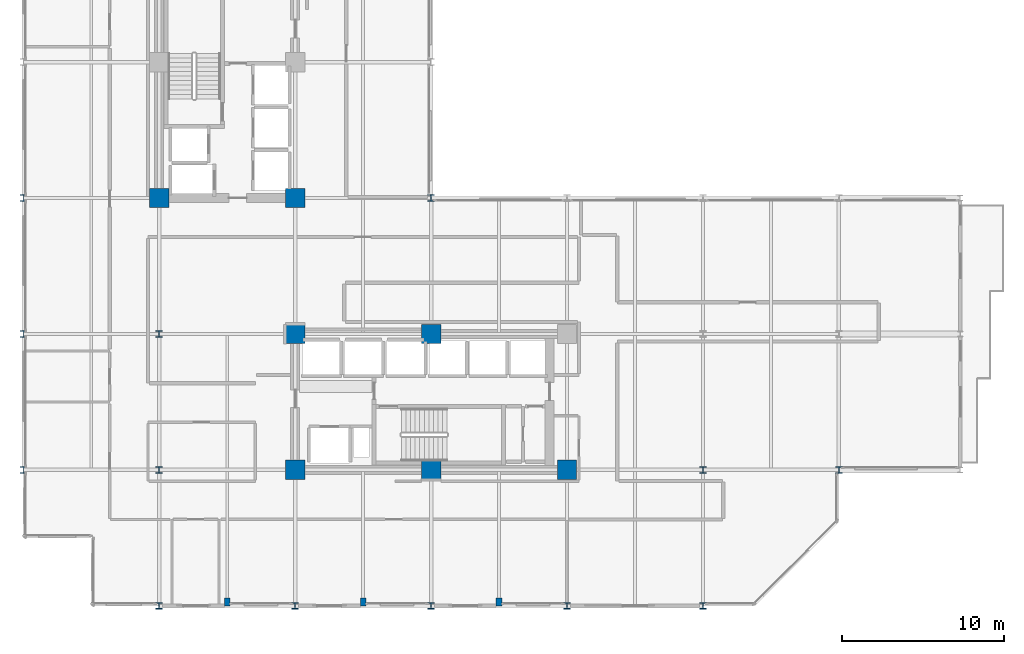
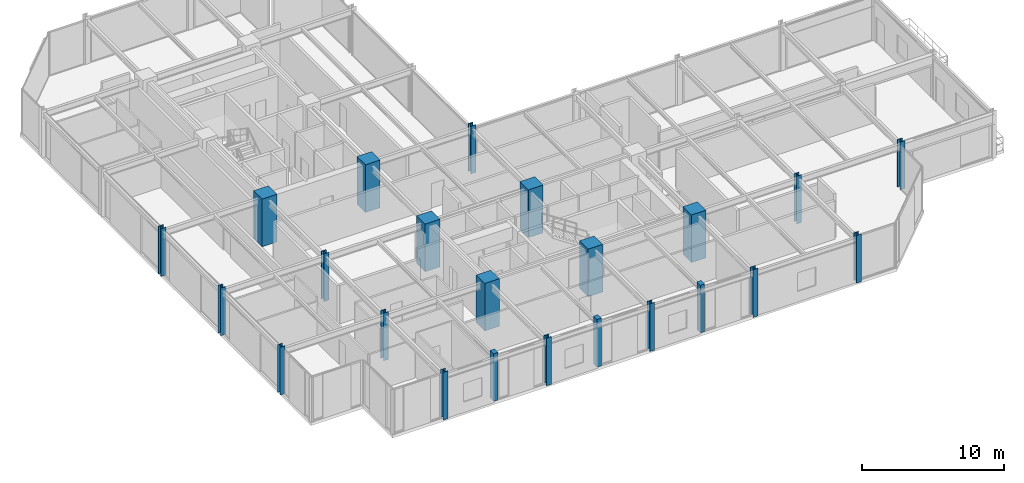
# One storey, part 1 of 38: 23 columns.
"""IFC4 building model written with IfcOpenShell, lengths in metres."""

from ifc_helpers import new_model, si_unit, direction, frame, origin, origin_2d, place, context, subcontext, project, spatial, rectangle, i_section, extrude, material, material_profile, profile_set, type_object, element, save


model = new_model("IFC4")

# Units and contexts
model_context = context("Model", 3, precision=1e-05, world=origin(), true_north=direction((0.0, 1.0)))
body_context = subcontext(model_context, "Body", "Model", "MODEL_VIEW")
ifc_project = project(units=[si_unit("LENGTHUNIT", "METRE"), si_unit("AREAUNIT", "SQUARE_METRE"), si_unit("VOLUMEUNIT", "CUBIC_METRE"), si_unit("PLANEANGLEUNIT", "RADIAN"), si_unit("MASSUNIT", "GRAM", prefix="KILO")], contexts=[model_context])

# Site, building, storey
site_placement = place(None, origin())
site = spatial("IfcSite", under=ifc_project, at=site_placement, CompositionType="ELEMENT")
building_placement = place(site_placement, origin())
building = spatial("IfcBuilding", under=site, at=building_placement, Name="Nerrivon Quay Data Exchange", CompositionType="ELEMENT")
storey_placement = place(building_placement, frame((0.0, 0.0, 96.699951171875)))
storey = spatial("IfcBuildingStorey", under=building, at=storey_placement, Name="L22", CompositionType="ELEMENT", Elevation=96.699951171875)

# Columns
ifc_material_1 = material(Name="Concrete S65 (65 MPa)", Category="concrete")
ifc_material_profile_1 = material_profile(ifc_material_1, rectangle(XDim=1.199951171875, YDim=1.199951171875, at=origin_2d()), Name="RC-COL-1200x1200")
ifc_profile_set_1 = profile_set([ifc_material_profile_1], Name="Concrete S65 (65 MPa)")
column_type_1 = type_object("IfcColumnType", Name="COL-C3-1200", PredefinedType="COLUMN", material=ifc_profile_set_1)
for number, where, z_axis, x_axis, name in (
    (1, (8.39990234375, 25.199951171875, 0.0), (0.0, 0.0, 1.0), (1.0, 0.0, 0.0), "L22 Column (8.4,25.2)"),
    (2, (16.800048828125, 8.39990234375, 0.0), (0.0, 0.0, 1.0), (1.0, 0.0, 0.0), "L22 Column (16.8,8.4)"),
    (3, (16.800048828125, 16.800048828125, 0.0), (0.0, 0.0, 1.0), (1.0, 0.0, 0.0), "L22 Column (16.8,16.8)"),
    (4, (16.800048828125, 25.199951171875, 0.0), (0.0, 0.0, 1.0), (1.0, 0.0, 0.0), "L22 Column (16.8,25.2)"),
    (5, (25.199951171875, 8.39990234375, 0.0), (0.0, 0.0, 1.0), (1.0, 0.0, 0.0), "L22 Column (25.2,8.4)"),
    (6, (25.199951171875, 16.800048828125, 0.0), (0.0, 0.0, 1.0), (1.0, 0.0, 0.0), "L22 Column (25.2,16.8)"),
    (7, (33.60009765625, 8.39990234375, 0.0), (0.0, 0.0, 1.0), (1.0, 0.0, 0.0), "L22 Column (33.6,8.4)"),
):
    element("IfcColumn", number, at=place(storey_placement, frame(where, z_axis=z_axis, x_axis=x_axis)), inside=storey, type_object=column_type_1, Name=name, PredefinedType="COLUMN", context=body_context, shape_type="SweptSolid", body=[
        extrude(rectangle(XDim=1.199951171875, YDim=1.199951171875, at=origin_2d()), origin(), (0.0, 0.0, 1.0), 4.10009765625),
    ])
ifc_material_2 = material(Name="Steel Grade 350", Category="steel")
ifc_material_profile_2 = material_profile(ifc_material_2, i_section(OverallWidth=0.39990234375, OverallDepth=0.39990234375, WebThickness=0.02490234375, FlangeThickness=0.0400390625, at=origin_2d()), Name="400WC328")
ifc_profile_set_2 = profile_set([ifc_material_profile_2], Name="Steel Grade 350")
column_type_2 = type_object("IfcColumnType", Name="COL-SC2-400WC", PredefinedType="COLUMN", material=ifc_profile_set_2)
for number, where, z_axis, x_axis, name in (
    (8, (0.0, 8.39990234375, 0.0), (0.0, 0.0, 1.0), (1.0, 0.0, 0.0), "L22 Column (0.0,8.4)"),
    (9, (0.0, 16.800048828125, 0.0), (0.0, 0.0, 1.0), (1.0, 0.0, 0.0), "L22 Column (0.0,16.8)"),
    (10, (0.0, 25.199951171875, 0.0), (0.0, 0.0, 1.0), (1.0, 0.0, 0.0), "L22 Column (0.0,25.2)"),
    (11, (8.39990234375, 0.0, 0.0), (0.0, 0.0, 1.0), (1.0, 0.0, 0.0), "L22 Column (8.4,0.0)"),
    (12, (8.39990234375, 8.39990234375, 0.0), (0.0, 0.0, 1.0), (1.0, 0.0, 0.0), "L22 Column (8.4,8.4)"),
    (13, (8.39990234375, 16.800048828125, 0.0), (0.0, 0.0, 1.0), (1.0, 0.0, 0.0), "L22 Column (8.4,16.8)"),
    (14, (16.800048828125, 0.0, 0.0), (0.0, 0.0, 1.0), (1.0, 0.0, 0.0), "L22 Column (16.8,0.0)"),
    (15, (25.199951171875, 0.0, 0.0), (0.0, 0.0, 1.0), (1.0, 0.0, 0.0), "L22 Column (25.2,0.0)"),
    (16, (25.199951171875, 25.199951171875, 0.0), (0.0, 0.0, 1.0), (1.0, 0.0, 0.0), "L22 Column (25.2,25.2)"),
    (17, (33.60009765625, 0.0, 0.0), (0.0, 0.0, 1.0), (1.0, 0.0, 0.0), "L22 Column (33.6,0.0)"),
    (18, (42.0, 0.0, 0.0), (0.0, 0.0, 1.0), (1.0, 0.0, 0.0), "L22 Column (42.0,0.0)"),
    (19, (42.0, 8.39990234375, 0.0), (0.0, 0.0, 1.0), (1.0, 0.0, 0.0), "L22 Column (42.0,8.4)"),
    (20, (50.39990234375, 8.39990234375, 0.0), (0.0, 0.0, 1.0), (1.0, 0.0, 0.0), "L22 Column (50.4,8.4)"),
):
    element("IfcColumn", number, at=place(storey_placement, frame(where, z_axis=z_axis, x_axis=x_axis)), inside=storey, type_object=column_type_2, Name=name, PredefinedType="COLUMN", context=body_context, shape_type="SweptSolid", body=[
        extrude(i_section(OverallWidth=0.39990234375, OverallDepth=0.39990234375, WebThickness=0.02490234375, FlangeThickness=0.0400390625, at=origin_2d()), origin(), (0.0, 0.0, 1.0), 4.10009765625),
    ])
ifc_material_3 = material(Name="Concrete N50 (50 MPa)", Category="concrete")
ifc_material_profile_3 = material_profile(ifc_material_3, rectangle(XDim=0.35009765625, YDim=0.5, at=origin_2d()), Name="RC-PIL-500x350")
ifc_profile_set_3 = profile_set([ifc_material_profile_3], Name="Concrete N50 (50 MPa)")
column_type_3 = type_object("IfcColumnType", Name="PIL-P2-500x350", PredefinedType="PILASTER", material=ifc_profile_set_3)
for number, where, z_axis, x_axis, name in (
    (21, (12.60009765625, 0.25, 0.0), (0.0, 0.0, 1.0), (1.0, 0.0, 0.0), "L22 Facade Pilaster (12.6)"),
    (22, (21.0, 0.25, 0.0), (0.0, 0.0, 1.0), (1.0, 0.0, 0.0), "L22 Facade Pilaster (21.0)"),
    (23, (29.39990234375, 0.25, 0.0), (0.0, 0.0, 1.0), (1.0, 0.0, 0.0), "L22 Facade Pilaster (29.4)"),
):
    element("IfcColumn", number, at=place(storey_placement, frame(where, z_axis=z_axis, x_axis=x_axis)), inside=storey, type_object=column_type_3, Name=name, PredefinedType="PILASTER", context=body_context, shape_type="SweptSolid", body=[
        extrude(rectangle(XDim=0.35009765625, YDim=0.5, at=origin_2d()), origin(), (0.0, 0.0, 1.0), 4.10009765625),
    ])

save(model, "model.ifc")
